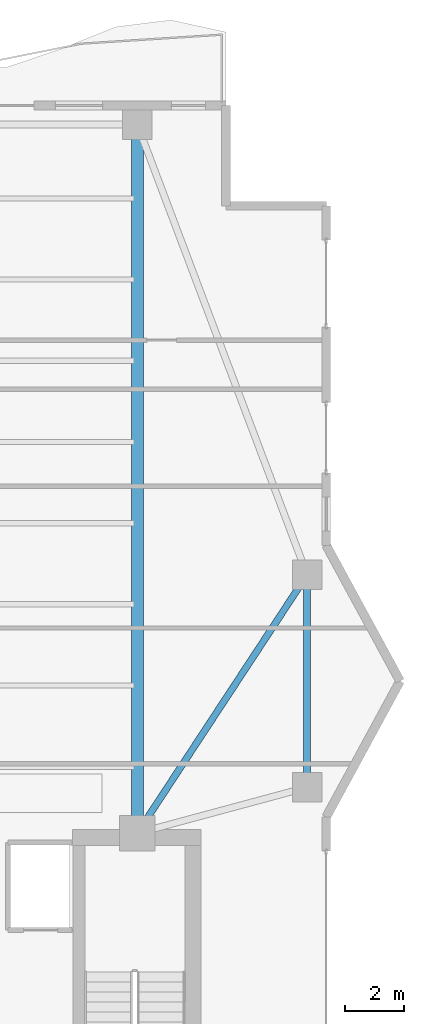
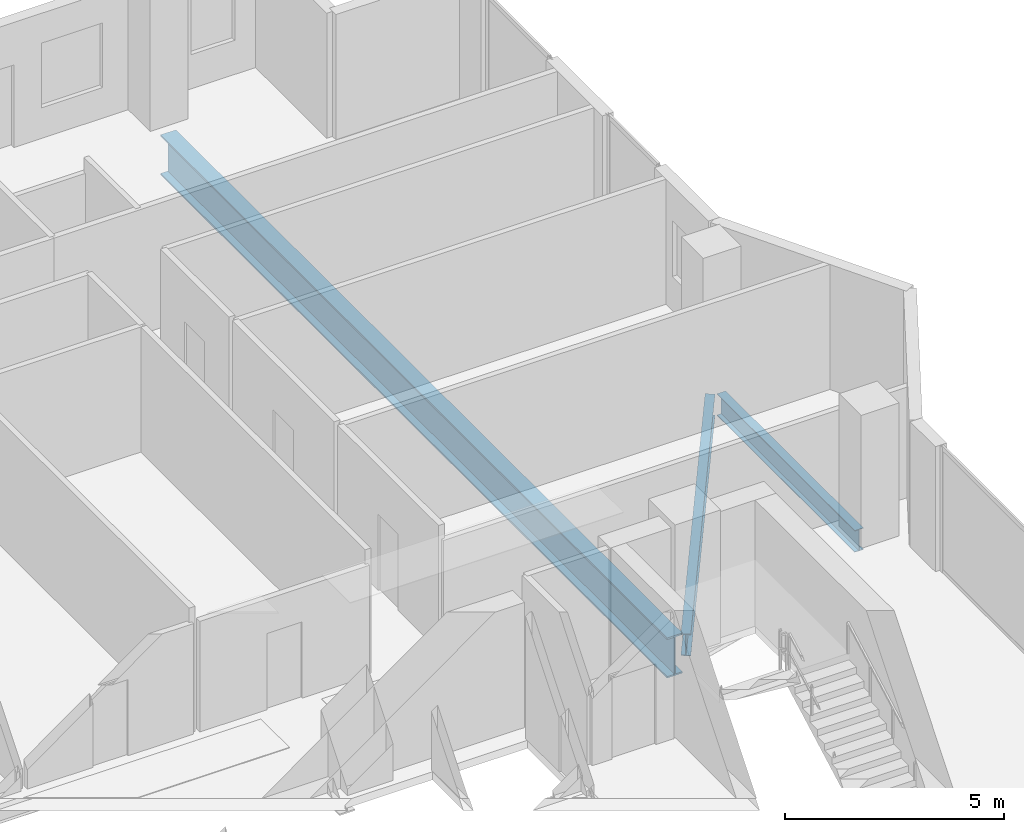
# One storey, part 10 of 24: 3 beams.
"""IFC4 building model written with IfcOpenShell, lengths in metres."""

from ifc_helpers import new_model, si_unit, direction, frame, origin, origin_2d, place, context, subcontext, project, spatial, i_section, extrude, material, material_profile, profile_set, type_object, element, save


model = new_model("IFC4")

# Units and contexts
model_context = context("Model", 3, precision=1e-05, world=origin(), true_north=direction((0.0, 1.0)))
body_context = subcontext(model_context, "Body", "Model", "MODEL_VIEW")
ifc_project = project(units=[si_unit("LENGTHUNIT", "METRE"), si_unit("AREAUNIT", "SQUARE_METRE"), si_unit("VOLUMEUNIT", "CUBIC_METRE"), si_unit("PLANEANGLEUNIT", "RADIAN"), si_unit("MASSUNIT", "GRAM", prefix="KILO")], contexts=[model_context])

# Site, building, storey
site_placement = place(None, origin())
site = spatial("IfcSite", under=ifc_project, at=site_placement, CompositionType="ELEMENT")
building_placement = place(site_placement, origin())
building = spatial("IfcBuilding", under=site, at=building_placement, Name="Zuhayl Quay Hotel", CompositionType="ELEMENT")
storey_placement = place(building_placement, frame((0.0, 0.0, 280.35009765625)))
storey = spatial("IfcBuildingStorey", under=building, at=storey_placement, Name="L71", CompositionType="ELEMENT", Elevation=280.35009765625)

# Beams
ifc_material_1 = material(Name="Steel ASTM A992 Grade 50", Category="steel")
ifc_material_profile_1 = material_profile(ifc_material_1, i_section(OverallWidth=0.22802734375, OverallDepth=0.60693359375, WebThickness=0.01123046875, FlangeThickness=0.017333984375, at=origin_2d()), Name="W24X76")
ifc_profile_set_1 = profile_set([ifc_material_profile_1], Name="Steel ASTM A992 Grade 50")
beam_type_1 = type_object("IfcBeamType", Name="BM_B3_W24X76", PredefinedType="BEAM", material=ifc_profile_set_1)
beam_1_placement = place(storey_placement, frame((19.550048828125, 16.360107421875, -0.523681640625), z_axis=(0.0, 1.0, 0.0), x_axis=(-1.0, 0.0, 0.0)))
element("IfcBeam", 1, at=beam_1_placement, inside=storey, type_object=beam_type_1, Name="L71 Floor Beam RG_L71_05", PredefinedType="BEAM", context=body_context, shape_type="SweptSolid", body=[
    extrude(i_section(OverallWidth=0.22802734375, OverallDepth=0.60693359375, WebThickness=0.01123046875, FlangeThickness=0.017333984375, at=origin_2d()), origin(), (0.0, 0.0, 1.0), 6.27978515625),
])
beam_2_placement = place(storey_placement, frame((14.047119140625, 14.72607421875, -0.523681640625), z_axis=(0.549177886661, 0.835705479701, 0.0), x_axis=(-0.835705479701, 0.549177886661, 0.0)))
element("IfcBeam", 2, at=beam_2_placement, inside=storey, type_object=beam_type_1, Name="L71 Floor Beam FG_E_L71_2", PredefinedType="BEAM", context=body_context, shape_type="SweptSolid", body=[
    extrude(i_section(OverallWidth=0.22802734375, OverallDepth=0.60693359375, WebThickness=0.01123046875, FlangeThickness=0.017333984375, at=origin_2d()), origin(), (0.0, 0.0, 1.0), 9.560302734375),
])
ifc_material_2 = material(Name="Steel ASTM A913 Grade 65", Category="steel")
ifc_material_profile_2 = material_profile(ifc_material_2, i_section(OverallWidth=0.404052734375, OverallDepth=1.117919921875, WebThickness=0.026123046875, FlangeThickness=0.044921875, at=origin_2d()), Name="W44X335")
ifc_profile_set_2 = profile_set([ifc_material_profile_2], Name="Steel ASTM A913 Grade 65")
beam_type_2 = type_object("IfcBeamType", Name="BM_TG1_W44X335", PredefinedType="BEAM", material=ifc_profile_set_2)
beam_3_placement = place(storey_placement, frame((13.800048828125, 14.800048828125, -0.779052734375), z_axis=(0.0, 1.0, 0.0), x_axis=(-1.0, 0.0, 0.0)))
element("IfcBeam", 3, at=beam_3_placement, inside=storey, type_object=beam_type_2, Name="L71 Floor Beam FG_N_L71_4", PredefinedType="BEAM", context=body_context, shape_type="SweptSolid", body=[
    extrude(i_section(OverallWidth=0.404052734375, OverallDepth=1.117919921875, WebThickness=0.026123046875, FlangeThickness=0.044921875, at=origin_2d()), origin(), (0.0, 0.0, 1.0), 23.08984375),
])

save(model, "model.ifc")
